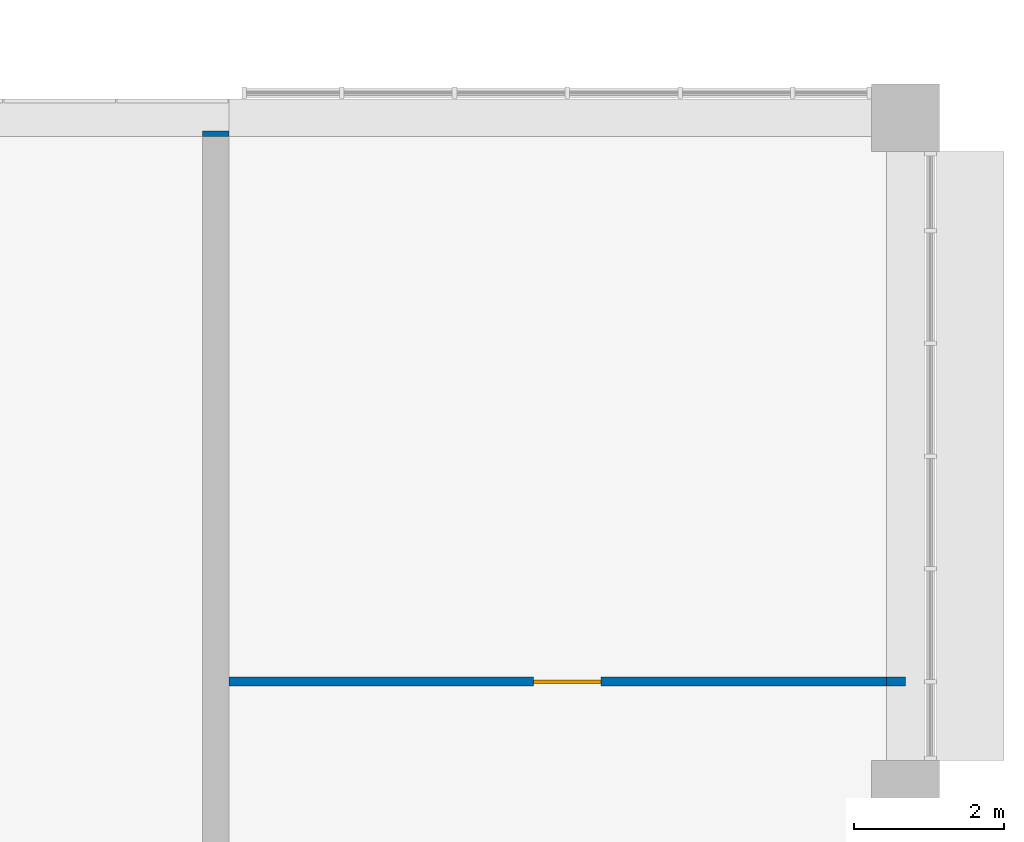
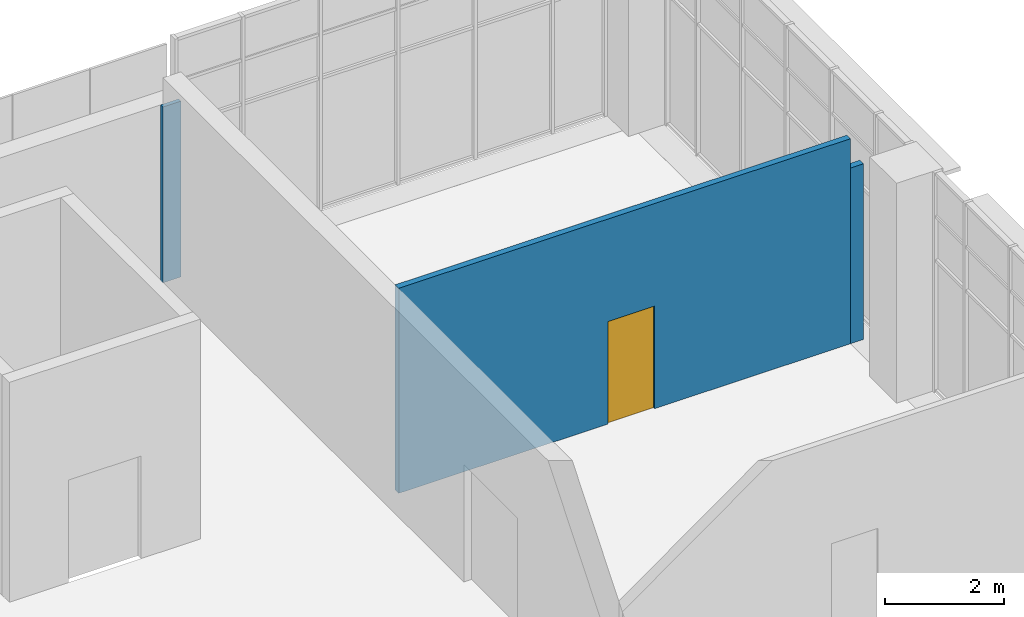
# One storey, part 33 of 45: 3 walls, 1 door, 1 opening.
"""IFC4 building model written with IfcOpenShell, lengths in metres."""

from ifc_helpers import new_model, si_unit, direction, frame, frame_2d, origin, place, context, subcontext, project, spatial, rectangle, extrude, material, layer, layer_set, type_object, element, fill, save


model = new_model("IFC4")

# Units and contexts
model_context = context("Model", 3, precision=1e-05, world=origin(), true_north=direction((0.0, 1.0)))
body_context = subcontext(model_context, "Body", "Model", "MODEL_VIEW")
ifc_project = project(units=[si_unit("LENGTHUNIT", "METRE"), si_unit("AREAUNIT", "SQUARE_METRE"), si_unit("VOLUMEUNIT", "CUBIC_METRE"), si_unit("PLANEANGLEUNIT", "RADIAN"), si_unit("MASSUNIT", "GRAM", prefix="KILO")], contexts=[model_context])

# Site, building, storey
site_placement = place(None, origin())
site = spatial("IfcSite", under=ifc_project, at=site_placement, CompositionType="ELEMENT")
building_placement = place(site_placement, origin())
building = spatial("IfcBuilding", under=site, at=building_placement, Name="Guidao Yard Department Store", CompositionType="ELEMENT")
storey_placement = place(building_placement, frame((0.0, 0.0, 19.5)))
storey = spatial("IfcBuildingStorey", under=building, at=storey_placement, Name="L04", CompositionType="ELEMENT", Elevation=19.5)

# Wall, opening, door
ifc_material_1 = material(Name="Gypsum Board")
ifc_layer_1 = layer(ifc_material_1, 0.1201171875)
ifc_layer_set_1 = layer_set([ifc_layer_1], Name="Partition 120 Gypsum Board EI 45")
wall_type_1 = type_object("IfcWallType", Name="Partition 120 Gypsum Board EI 45", PredefinedType="PARTITIONING", material=ifc_layer_set_1)
wall_1_placement = place(storey_placement, frame((162.0, 19.5, 0.0), z_axis=(0.0, 0.0, 1.0), x_axis=(1.0, 0.0, 0.0)))
wall_1 = element("IfcWall", 1, at=wall_1_placement, inside=storey, type_object=wall_type_1, Name="pt.wall.L04.0012", PredefinedType="PARTITIONING", context=body_context, shape_type="SweptSolid", body=[
    extrude(rectangle(XDim=8.75, YDim=0.1201171875, at=frame_2d((4.375, 0.0))), origin(), (0.0, 0.0, 1.0), 4.199951171875),
])
opening_placement = place(wall_1_placement, frame((4.949951171875, 0.0, 0.0), z_axis=(0.0, 0.0, 1.0), x_axis=(-1.0, 0.0, 0.0)))
opening = element("IfcOpeningElement", 2, at=opening_placement, cuts=wall_1, Name="Opening L04-417", PredefinedType="OPENING", context=body_context, shape_type="SweptSolid", body=[
    extrude(rectangle(XDim=0.89990234375, YDim=2.10009765625, at=frame_2d((0.449951171875, 1.050048828125))), frame((0.0, 0.070068359375, 0.0), z_axis=(0.0, -1.0, 0.0), x_axis=(1.0, 0.0, 0.0)), (0.0, 0.0, 1.0), 0.14013671875),
])
ifc_material_2 = material(Name="Timber door leaf with Steel Q235 frame", Category="steel")
door_type = type_object("IfcDoorType", Name="Door 900 x 2100 NOT RATED Single Leaf", OperationType="SINGLE_SWING_LEFT", PredefinedType="DOOR", material=ifc_material_2)
door_placement = place(opening_placement, origin())
door = element("IfcDoor", 3, at=door_placement, inside=storey, type_object=door_type, Name="Door L04-417", OperationType="SINGLE_SWING_LEFT", OverallHeight=2.10009765625, OverallWidth=0.89990234375, PredefinedType="DOOR", context=body_context, shape_type="SweptSolid", body=[
    extrude(rectangle(XDim=0.89990234375, YDim=2.10009765625, at=frame_2d((0.449951171875, 1.050048828125))), frame((0.0, 0.02490234375, 0.0), z_axis=(0.0, -1.0, 0.0), x_axis=(1.0, 0.0, 0.0)), (0.0, 0.0, 1.0), 0.050048828125),
])
fill(opening, door)

# Walls
wall_2_placement = place(storey_placement, frame((170.75, 19.5, 0.0), z_axis=(0.0, 0.0, 1.0), x_axis=(1.0, 0.0, 0.0)))
element("IfcWall", 4, at=wall_2_placement, inside=storey, type_object=wall_type_1, Name="pt.wall.L04.0012a", PredefinedType="PARTITIONING", context=body_context, shape_type="SweptSolid", body=[
    extrude(rectangle(XDim=0.25, YDim=0.1201171875, at=frame_2d((0.125, 0.0))), origin(), (0.0, 0.0, 1.0), 3.60009765625),
])
ifc_material_3 = material(Name="Concrete C50", Category="concrete")
ifc_layer_2 = layer(ifc_material_3, 0.35009765625)
ifc_layer_set_2 = layer_set([ifc_layer_2], Name="Shear Wall 350 Concrete C50")
wall_type_2 = type_object("IfcWallType", Name="Shear Wall 350 Concrete C50", PredefinedType="SHEAR", material=ifc_layer_set_2)
wall_3_placement = place(storey_placement, frame((161.824951171875, 26.75, 0.0), z_axis=(0.0, 0.0, 1.0), x_axis=(0.0, 1.0, 0.0)))
element("IfcWall", 5, at=wall_3_placement, inside=storey, type_object=wall_type_2, Name="pt.wall.L04.0029a", PredefinedType="SHEAR", context=body_context, shape_type="SweptSolid", body=[
    extrude(rectangle(XDim=0.074951171875, YDim=0.35009765625, at=frame_2d((0.03759765625, 0.0))), origin(), (0.0, 0.0, 1.0), 3.60009765625),
])

save(model, "model.ifc")
